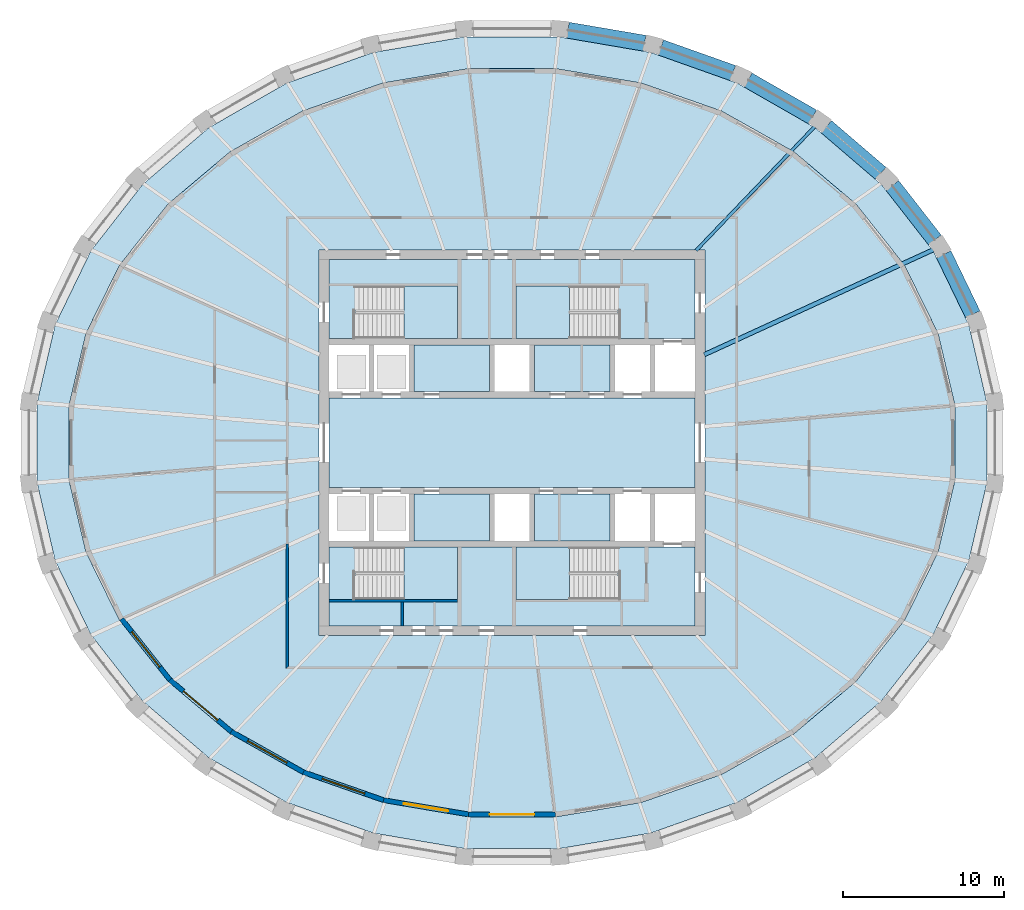
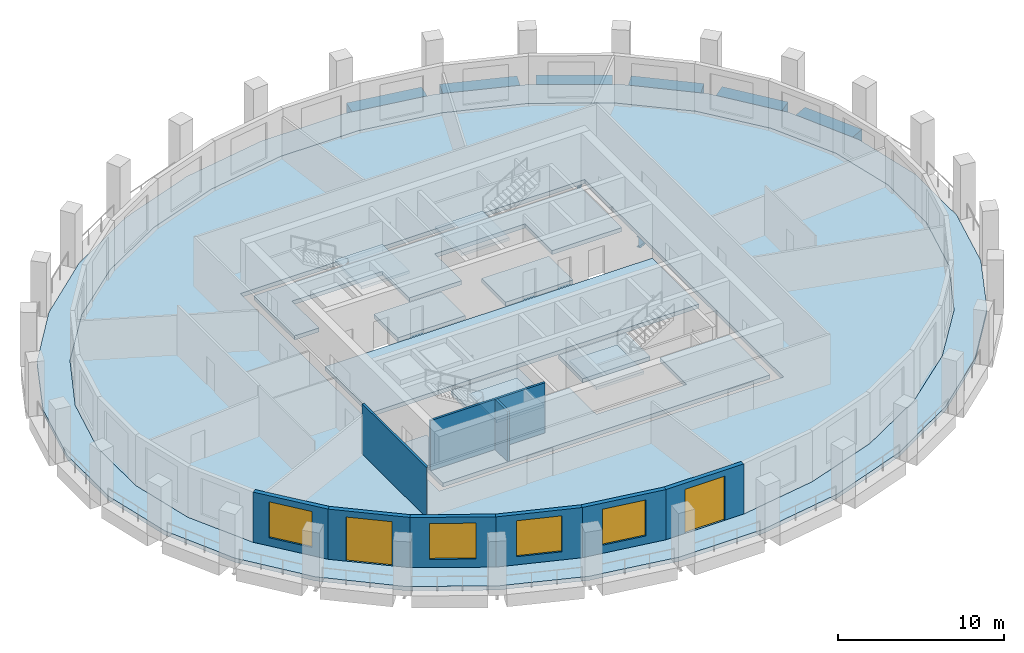
# One storey, part 2 of 10: 13 slabs, 9 walls, 8 beams, 4 windows, 2 doors, 6 openings, 4 elements without a shape of their own.
"""IFC4 building model written with IfcOpenShell, lengths in metres."""

from ifc_helpers import new_model, si_unit, direction, frame, frame_2d, origin, origin_2d, place, context, subcontext, project, spatial, polyline, rectangle, i_section, outline, extrude, material, layer, layer_set, material_profile, profile_set, type_object, element, fill, aggregate, save


model = new_model("IFC4")

# Units and contexts
model_context = context("Model", 3, precision=1e-05, world=origin(), true_north=direction((0.0, 1.0)))
body_context = subcontext(model_context, "Body", "Model", "MODEL_VIEW")
ifc_project = project(units=[si_unit("LENGTHUNIT", "METRE"), si_unit("AREAUNIT", "SQUARE_METRE"), si_unit("VOLUMEUNIT", "CUBIC_METRE"), si_unit("PLANEANGLEUNIT", "RADIAN"), si_unit("MASSUNIT", "GRAM", prefix="KILO")], contexts=[model_context])

# Site, building, storey
site_placement = place(None, origin())
site = spatial("IfcSite", under=ifc_project, at=site_placement, CompositionType="ELEMENT")
building_placement = place(site_placement, origin())
building = spatial("IfcBuilding", under=site, at=building_placement, Name="Halqa Exchange Tower", CompositionType="ELEMENT")
storey_placement = place(building_placement, frame((0.0, 0.0, 256.300048828125)))
storey = spatial("IfcBuildingStorey", under=building, at=storey_placement, Name="L59", CompositionType="ELEMENT", Elevation=256.300048828125)

# Beams
ifc_material_1 = material(Name="Steel S355", Category="steel")
ifc_material_profile_1 = material_profile(ifc_material_1, i_section(OverallWidth=0.18994140625, OverallDepth=0.449951171875, WebThickness=0.009521484375, FlangeThickness=0.0146484375, FilletRadius=0.02099609375, at=origin_2d()), Name="IPE 450")
ifc_profile_set_1 = profile_set([ifc_material_profile_1], Name="Steel S355")
beam_type_1 = type_object("IfcBeamType", Name="Floor beam IPE 450", PredefinedType="BEAM", material=ifc_profile_set_1)
beam_1_placement = place(storey_placement, frame((11.462890625, 11.97216796875, -0.525146484375), z_axis=(0.691571250257, 0.722308248477, 0.0), x_axis=(-0.722308248477, 0.691571250257, 0.0)))
element("IfcBeam", 1, at=beam_1_placement, inside=storey, type_object=beam_type_1, Name="Radial beam 5", PredefinedType="BEAM", context=body_context, shape_type="SweptSolid", body=[
    extrude(i_section(OverallWidth=0.18994140625, OverallDepth=0.449951171875, WebThickness=0.009521484375, FlangeThickness=0.0146484375, FilletRadius=0.02099609375, at=origin_2d()), origin(), (0.0, 0.0, 1.0), 10.8896484375),
])
ifc_material_profile_2 = material_profile(ifc_material_1, i_section(OverallWidth=0.264892578125, OverallDepth=0.7529296875, WebThickness=0.01318359375, FlangeThickness=0.01708984375, FilletRadius=0.01708984375, at=origin_2d()), Name="IPE 750x147")
ifc_profile_set_2 = profile_set([ifc_material_profile_2], Name="Steel S355")
beam_type_2 = type_object("IfcBeamType", Name="Floor beam IPE 750x147", PredefinedType="BEAM", material=ifc_profile_set_2)
beam_2_placement = place(storey_placement, frame((11.972412109375, 5.485107421875, -0.676513671875), z_axis=(0.909125405475, 0.416522504938, 0.0), x_axis=(-0.416522504938, 0.909125405475, 0.0)))
element("IfcBeam", 2, at=beam_2_placement, inside=storey, type_object=beam_type_2, Name="Radial beam 3", PredefinedType="BEAM", context=body_context, shape_type="SweptSolid", body=[
    extrude(i_section(OverallWidth=0.264892578125, OverallDepth=0.7529296875, WebThickness=0.01318359375, FlangeThickness=0.01708984375, FilletRadius=0.01708984375, at=origin_2d()), origin(), (0.0, 0.0, 1.0), 15.897216796875),
])
ifc_material_2 = material(Name="Concrete C60/75", Category="concrete")
ifc_material_profile_3 = material_profile(ifc_material_2, rectangle(XDim=1.0, YDim=0.89990234375, at=origin_2d()), Name="1000 x 900")
ifc_profile_set_3 = profile_set([ifc_material_profile_3], Name="Concrete C60/75")
beam_type_3 = type_object("IfcBeamType", Name="RC spandrel beam 1000 x 900 C60/75", PredefinedType="SPANDREL", material=ifc_profile_set_3)
beam_3_placement = place(storey_placement, frame((28.68115234375, 7.989501953125, -0.449951171875), z_axis=(-0.435052831025, 0.900404927917, 0.0), x_axis=(-0.900404927917, -0.435052831025, 0.0)))
element("IfcBeam", 3, at=beam_3_placement, inside=storey, type_object=beam_type_3, Name="Spandrel 2", PredefinedType="SPANDREL", context=body_context, shape_type="SweptSolid", body=[
    extrude(rectangle(XDim=1.0, YDim=0.89990234375, at=origin_2d()), origin(), (0.0, 0.0, 1.0), 4.15771484375),
])
beam_4_placement = place(storey_placement, frame((26.32080078125, 12.62060546875, -0.449951171875), z_axis=(-0.614851813623, 0.788642661339, 0.0), x_axis=(-0.788642661339, -0.614851813623, 0.0)))
element("IfcBeam", 4, at=beam_4_placement, inside=storey, type_object=beam_type_3, Name="Spandrel 3", PredefinedType="SPANDREL", context=body_context, shape_type="SweptSolid", body=[
    extrude(rectangle(XDim=1.0, YDim=0.89990234375, at=origin_2d()), origin(), (0.0, 0.0, 1.0), 4.301513671875),
])
beam_5_placement = place(storey_placement, frame((22.955078125, 16.7685546875, -0.449951171875), z_axis=(-0.75927203536, 0.650773367864, 0.0), x_axis=(-0.650773367864, -0.75927203536, 0.0)))
element("IfcBeam", 5, at=beam_5_placement, inside=storey, type_object=beam_type_3, Name="Spandrel 4", PredefinedType="SPANDREL", context=body_context, shape_type="SweptSolid", body=[
    extrude(rectangle(XDim=1.0, YDim=0.89990234375, at=origin_2d()), origin(), (0.0, 0.0, 1.0), 4.466552734375),
])
beam_6_placement = place(storey_placement, frame((18.7109375, 20.277099609375, -0.449951171875), z_axis=(-0.867755612748, 0.496991143326, 0.0), x_axis=(-0.496991143326, -0.867755612748, 0.0)))
element("IfcBeam", 6, at=beam_6_placement, inside=storey, type_object=beam_type_3, Name="Spandrel 5", PredefinedType="SPANDREL", context=body_context, shape_type="SweptSolid", body=[
    extrude(rectangle(XDim=1.0, YDim=0.89990234375, at=origin_2d()), origin(), (0.0, 0.0, 1.0), 4.62646484375),
])
beam_7_placement = place(storey_placement, frame((13.747802734375, 23.01220703125, -0.449951171875), z_axis=(-0.942372957307, 0.334564208094, 0.0), x_axis=(-0.334564208094, -0.942372957307, 0.0)))
element("IfcBeam", 7, at=beam_7_placement, inside=storey, type_object=beam_type_3, Name="Spandrel 6", PredefinedType="SPANDREL", context=body_context, shape_type="SweptSolid", body=[
    extrude(rectangle(XDim=1.0, YDim=0.89990234375, at=origin_2d()), origin(), (0.0, 0.0, 1.0), 4.7578125),
])
beam_8_placement = place(storey_placement, frame((8.252685546875, 24.867919921875, -0.449951171875), z_axis=(-0.985781051948, 0.168034870249, 0.0), x_axis=(-0.168034870249, -0.985781051948, 0.0)))
element("IfcBeam", 8, at=beam_8_placement, inside=storey, type_object=beam_type_3, Name="Spandrel 7", PredefinedType="SPANDREL", context=body_context, shape_type="SweptSolid", body=[
    extrude(rectangle(XDim=1.0, YDim=0.89990234375, at=origin_2d()), origin(), (0.0, 0.0, 1.0), 4.843994140625),
])

# Slabs
ifc_layer_1 = layer(ifc_material_2, 0.300048828125)
ifc_layer_set_1 = layer_set([ifc_layer_1], Name="Concrete C60/75")
slab_type_1 = type_object("IfcSlabType", Name="Core floor slab 300", PredefinedType="FLOOR", material=ifc_layer_set_1)
slab_1_placement = place(storey_placement, frame((0.0, 0.0, -0.300048828125)))
element("IfcSlab", 9, at=slab_1_placement, inside=storey, type_object=slab_type_1, Name="Core floor slab", PredefinedType="FLOOR", context=body_context, shape_type="SweptSolid", body=[
    extrude(outline(polyline([(-11.39990234375, 2.800048828125), (11.39990234375, 2.800048828125), (11.39990234375, -2.800048828125), (-11.39990234375, -2.800048828125), (-11.39990234375, 2.800048828125)])), origin(), (0.0, 0.0, 1.0), 0.300048828125),
])
slab_2_placement = place(storey_placement, frame((0.0, 0.0, -0.300048828125)))
element("IfcSlab", 10, at=slab_2_placement, inside=storey, type_object=slab_type_1, Name="Core floor slab", PredefinedType="FLOOR", context=body_context, shape_type="SweptSolid", body=[
    extrude(outline(polyline([(-11.39990234375, 11.39990234375), (11.39990234375, 11.39990234375), (11.39990234375, 6.5), (6.550048828125, 6.5), (6.550048828125, 9.75), (0.25, 9.75), (0.25, 6.5), (-3.39990234375, 6.5), (-3.39990234375, 9.75), (-9.699951171875, 9.75), (-9.699951171875, 6.5), (-11.39990234375, 6.5), (-11.39990234375, 11.39990234375)])), origin(), (0.0, 0.0, 1.0), 0.300048828125),
])
slab_3_placement = place(storey_placement, frame((0.0, 0.0, -0.300048828125)))
element("IfcSlab", 11, at=slab_3_placement, inside=storey, type_object=slab_type_1, Name="Core floor slab", PredefinedType="FLOOR", context=body_context, shape_type="SweptSolid", body=[
    extrude(outline(polyline([(-11.39990234375, -6.5), (-9.699951171875, -6.5), (-9.699951171875, -9.75), (-3.39990234375, -9.75), (-3.39990234375, -6.5), (0.25, -6.5), (0.25, -9.75), (6.550048828125, -9.75), (6.550048828125, -6.5), (11.39990234375, -6.5), (11.39990234375, -11.39990234375), (-11.39990234375, -11.39990234375), (-11.39990234375, -6.5)])), origin(), (0.0, 0.0, 1.0), 0.300048828125),
])
slab_4_placement = place(storey_placement, frame((0.0, 0.0, -0.300048828125)))
element("IfcSlab", 12, at=slab_4_placement, inside=storey, type_object=slab_type_1, Name="Core floor slab", PredefinedType="FLOOR", context=body_context, shape_type="SweptSolid", body=[
    extrude(outline(polyline([(-1.39990234375, -3.199951171875), (-1.39990234375, -6.10009765625), (-6.10009765625, -6.10009765625), (-6.10009765625, -3.199951171875), (-1.39990234375, -3.199951171875)])), origin(), (0.0, 0.0, 1.0), 0.300048828125),
])
slab_5_placement = place(storey_placement, frame((0.0, 0.0, -0.300048828125)))
element("IfcSlab", 13, at=slab_5_placement, inside=storey, type_object=slab_type_1, Name="Core floor slab", PredefinedType="FLOOR", context=body_context, shape_type="SweptSolid", body=[
    extrude(outline(polyline([(-1.39990234375, 3.199951171875), (-6.10009765625, 3.199951171875), (-6.10009765625, 6.10009765625), (-1.39990234375, 6.10009765625), (-1.39990234375, 3.199951171875)])), origin(), (0.0, 0.0, 1.0), 0.300048828125),
])
slab_6_placement = place(storey_placement, frame((0.0, 0.0, -0.300048828125)))
element("IfcSlab", 14, at=slab_6_placement, inside=storey, type_object=slab_type_1, Name="Core floor slab", PredefinedType="FLOOR", context=body_context, shape_type="SweptSolid", body=[
    extrude(outline(polyline([(6.10009765625, -3.199951171875), (6.10009765625, -6.10009765625), (1.39990234375, -6.10009765625), (1.39990234375, -3.199951171875), (6.10009765625, -3.199951171875)])), origin(), (0.0, 0.0, 1.0), 0.300048828125),
])
slab_7_placement = place(storey_placement, frame((0.0, 0.0, -0.300048828125)))
element("IfcSlab", 15, at=slab_7_placement, inside=storey, type_object=slab_type_1, Name="Core floor slab", PredefinedType="FLOOR", context=body_context, shape_type="SweptSolid", body=[
    extrude(outline(polyline([(6.10009765625, 6.10009765625), (6.10009765625, 3.199951171875), (1.39990234375, 3.199951171875), (1.39990234375, 6.10009765625), (6.10009765625, 6.10009765625)])), origin(), (0.0, 0.0, 1.0), 0.300048828125),
])
ifc_material_3 = material(Name="Concrete C40/50", Category="concrete")
ifc_layer_2 = layer(ifc_material_3, 0.300048828125)
ifc_layer_set_2 = layer_set([ifc_layer_2], Name="Concrete C40/50")
slab_type_2 = type_object("IfcSlabType", Name="RC floor slab 300", PredefinedType="FLOOR", material=ifc_layer_set_2)
slab_8_placement = place(storey_placement, frame((0.0, 0.0, -0.300048828125)))
element("IfcSlab", 16, at=slab_8_placement, inside=storey, type_object=slab_type_2, Name="Floor slab", PredefinedType="FLOOR", context=body_context, shape_type="SweptSolid", body=[
    extrude(outline(polyline([(27.57861328125, 2.298583984375), (26.514404296875, 6.805908203125), (24.428955078125, 11.048095703125), (21.40478515625, 14.861083984375), (17.560791015625, 18.10009765625), (13.045166015625, 20.64208984375), (8.031494140625, 22.391845703125), (2.711669921875, 23.283447265625), (-2.711669921875, 23.283447265625), (-8.031494140625, 22.391845703125), (-13.045166015625, 20.64208984375), (-17.560791015625, 18.10009765625), (-21.40478515625, 14.861083984375), (-24.428955078125, 11.048095703125), (-26.514404296875, 6.805908203125), (-27.57861328125, 2.298583984375), (-27.57861328125, -2.298583984375), (-26.514404296875, -6.805908203125), (-24.428955078125, -11.048095703125), (-21.40478515625, -14.861083984375), (-17.560791015625, -18.10009765625), (-13.045166015625, -20.64208984375), (-8.031494140625, -22.391845703125), (-2.711669921875, -23.283447265625), (2.711669921875, -23.283447265625), (8.031494140625, -22.391845703125), (13.045166015625, -20.64208984375), (17.560791015625, -18.10009765625), (21.40478515625, -14.861083984375), (24.428955078125, -11.048095703125), (26.514404296875, -6.805908203125), (27.57861328125, -2.298583984375), (27.57861328125, 2.298583984375)]), holes=[polyline([(-12.0, -12.0), (12.0, -12.0), (12.0, 12.0), (-12.0, 12.0), (-12.0, -12.0)])]), origin(), (0.0, 0.0, 1.0), 0.300048828125),
])
ifc_layer_3 = layer(ifc_material_3, 0.300048828125)
ifc_layer_set_3 = layer_set([ifc_layer_3], Name="Concrete C40/50")
slab_type_3 = type_object("IfcSlabType", Name="RC loggia slab 300", PredefinedType="FLOOR", material=ifc_layer_set_3)
slab_9_placement = place(storey_placement, frame((0.0, 0.0, -0.300048828125)))
element("IfcSlab", 17, at=slab_9_placement, inside=storey, type_object=slab_type_3, Name="Loggia slab", PredefinedType="FLOOR", context=body_context, shape_type="SweptSolid", body=[
    extrude(outline(polyline([(29.56494140625, 2.480712890625), (29.56494140625, -2.480712890625), (28.43505859375, -7.349609375), (26.21630859375, -11.94140625), (22.989501953125, -16.080322265625), (18.875732421875, -19.6064453125), (14.031494140625, -22.380859375), (8.64306640625, -24.294189453125), (2.918701171875, -25.27001953125), (-2.918701171875, -25.27001953125), (-8.64306640625, -24.294189453125), (-14.031494140625, -22.380859375), (-18.875732421875, -19.6064453125), (-22.989501953125, -16.080322265625), (-26.21630859375, -11.94140625), (-28.43505859375, -7.349609375), (-29.56494140625, -2.480712890625), (-29.56494140625, 2.480712890625), (-28.43505859375, 7.349609375), (-26.21630859375, 11.94140625), (-22.989501953125, 16.080322265625), (-18.875732421875, 19.6064453125), (-14.031494140625, 22.380859375), (-8.64306640625, 24.294189453125), (-2.918701171875, 25.27001953125), (2.918701171875, 25.27001953125), (8.64306640625, 24.294189453125), (14.031494140625, 22.380859375), (18.875732421875, 19.6064453125), (22.989501953125, 16.080322265625), (26.21630859375, 11.94140625), (28.43505859375, 7.349609375), (29.56494140625, 2.480712890625)]), holes=[polyline([(27.57861328125, 2.298583984375), (26.514404296875, 6.805908203125), (24.428955078125, 11.048095703125), (21.40478515625, 14.861083984375), (17.560791015625, 18.10009765625), (13.045166015625, 20.64208984375), (8.031494140625, 22.391845703125), (2.711669921875, 23.283447265625), (-2.711669921875, 23.283447265625), (-8.031494140625, 22.391845703125), (-13.045166015625, 20.64208984375), (-17.560791015625, 18.10009765625), (-21.40478515625, 14.861083984375), (-24.428955078125, 11.048095703125), (-26.514404296875, 6.805908203125), (-27.57861328125, 2.298583984375), (-27.57861328125, -2.298583984375), (-26.514404296875, -6.805908203125), (-24.428955078125, -11.048095703125), (-21.40478515625, -14.861083984375), (-17.560791015625, -18.10009765625), (-13.045166015625, -20.64208984375), (-8.031494140625, -22.391845703125), (-2.711669921875, -23.283447265625), (2.711669921875, -23.283447265625), (8.031494140625, -22.391845703125), (13.045166015625, -20.64208984375), (17.560791015625, -18.10009765625), (21.40478515625, -14.861083984375), (24.428955078125, -11.048095703125), (26.514404296875, -6.805908203125), (27.57861328125, -2.298583984375), (27.57861328125, 2.298583984375)])]), origin(), (0.0, 0.0, 1.0), 0.300048828125),
])

# Stair, slab
ifc_material_4 = material(Name="Concrete C30/37", Category="concrete")
stair_type = type_object("IfcStairType", Name="Exit stair 1500 wide", PredefinedType="HALF_TURN_STAIR", material=ifc_material_4)
stair_1_placement = place(storey_placement, origin())
stair_1 = element("IfcStair", 18, at=stair_1_placement, inside=storey, type_object=stair_type, Name="Exit stair ST1", PredefinedType="HALF_TURN_STAIR")
ifc_layer_4 = layer(ifc_material_4, 0.199951171875)
ifc_layer_set_4 = layer_set([ifc_layer_4], Name="Concrete C30/37")
slab_type_4 = type_object("IfcSlabType", Name="Stair landing 200 slab", PredefinedType="LANDING", material=ifc_layer_set_4)
slab_10_placement = place(storey_placement, frame((0.0, 0.0, 1.800048828125)))
slab_10 = element("IfcSlab", 19, at=slab_10_placement, type_object=slab_type_4, Name="ST1 landing 1", PredefinedType="LANDING", context=body_context, shape_type="SweptSolid", body=[
    extrude(outline(polyline([(-6.719970703125, 6.5), (-3.39990234375, 6.5), (-3.39990234375, 9.75), (-6.719970703125, 9.75), (-6.719970703125, 6.5)])), origin(), (0.0, 0.0, 1.0), 0.199951171875),
])
aggregate(stair_1, [slab_10])

stair_2_placement = place(storey_placement, origin())
stair_2 = element("IfcStair", 20, at=stair_2_placement, inside=storey, type_object=stair_type, Name="Exit stair ST2", PredefinedType="HALF_TURN_STAIR")
slab_11_placement = place(storey_placement, frame((0.0, 0.0, 1.800048828125)))
slab_11 = element("IfcSlab", 21, at=slab_11_placement, type_object=slab_type_4, Name="ST2 landing 1", PredefinedType="LANDING", context=body_context, shape_type="SweptSolid", body=[
    extrude(outline(polyline([(0.25, 6.5), (3.570068359375, 6.5), (3.570068359375, 9.75), (0.25, 9.75), (0.25, 6.5)])), origin(), (0.0, 0.0, 1.0), 0.199951171875),
])
aggregate(stair_2, [slab_11])

stair_3_placement = place(storey_placement, origin())
stair_3 = element("IfcStair", 22, at=stair_3_placement, inside=storey, type_object=stair_type, Name="Exit stair ST3", PredefinedType="HALF_TURN_STAIR")
slab_12_placement = place(storey_placement, frame((0.0, 0.0, 1.800048828125)))
slab_12 = element("IfcSlab", 23, at=slab_12_placement, type_object=slab_type_4, Name="ST3 landing 1", PredefinedType="LANDING", context=body_context, shape_type="SweptSolid", body=[
    extrude(outline(polyline([(-6.719970703125, -9.75), (-3.39990234375, -9.75), (-3.39990234375, -6.5), (-6.719970703125, -6.5), (-6.719970703125, -9.75)])), origin(), (0.0, 0.0, 1.0), 0.199951171875),
])
aggregate(stair_3, [slab_12])

stair_4_placement = place(storey_placement, origin())
stair_4 = element("IfcStair", 24, at=stair_4_placement, inside=storey, type_object=stair_type, Name="Exit stair ST4", PredefinedType="HALF_TURN_STAIR")
slab_13_placement = place(storey_placement, frame((0.0, 0.0, 1.800048828125)))
slab_13 = element("IfcSlab", 25, at=slab_13_placement, type_object=slab_type_4, Name="ST4 landing 1", PredefinedType="LANDING", context=body_context, shape_type="SweptSolid", body=[
    extrude(outline(polyline([(0.25, -9.75), (3.570068359375, -9.75), (3.570068359375, -6.5), (0.25, -6.5), (0.25, -9.75)])), origin(), (0.0, 0.0, 1.0), 0.199951171875),
])
aggregate(stair_4, [slab_13])

# Walls
ifc_material_5 = material(Name="Fire-rated gypsum board")
ifc_layer_5 = layer(ifc_material_5, 0.14990234375)
ifc_layer_set_5 = layer_set([ifc_layer_5], Name="Fire-rated gypsum board")
wall_type_1 = type_object("IfcWallType", Name="Fire partition EI 60 150", PredefinedType="PARTITIONING", material=ifc_layer_set_5)
wall_1_placement = place(storey_placement, frame((-14.0, -14.074951171875, 0.0), z_axis=(0.0, 0.0, 1.0), x_axis=(0.0, 1.0, 0.0)))
element("IfcWall", 26, at=wall_1_placement, inside=storey, type_object=wall_type_1, Name="L59-PWL-006", PredefinedType="PARTITIONING", context=body_context, shape_type="SweptSolid", body=[
    extrude(outline(polyline([(7.77490234375, 0.074951171875), (5.8310546875, 0.074951171875), (3.887451171875, 0.074951171875), (1.94384765625, 0.074951171875), (0.0, 0.074951171875), (0.14990234375, -0.074951171875), (2.05615234375, -0.074951171875), (3.96240234375, -0.074951171875), (5.86865234375, -0.074951171875), (7.77490234375, -0.074951171875), (7.77490234375, 0.074951171875)])), origin(), (0.0, 0.0, 1.0), 3.699951171875),
])
ifc_material_6 = material(Name="Gypsum board")
ifc_layer_6 = layer(ifc_material_6, 0.14990234375)
ifc_layer_set_6 = layer_set([ifc_layer_6], Name="Gypsum board")
wall_type_2 = type_object("IfcWallType", Name="Penthouse riser wall 150 gypsum", PredefinedType="PARTITIONING", material=ifc_layer_set_6)
wall_2_placement = place(storey_placement, frame((-6.824951171875, -11.39990234375, 0.0), z_axis=(0.0, 0.0, 1.0), x_axis=(0.0, 1.0, 0.0)))
element("IfcWall", 27, at=wall_2_placement, inside=storey, type_object=wall_type_2, Name="Partition W6.825 S", PredefinedType="PARTITIONING", context=body_context, shape_type="SweptSolid", body=[
    extrude(rectangle(XDim=1.5, YDim=0.14990234375, at=frame_2d((0.75, 0.0))), origin(), (0.0, 0.0, 1.0), 3.699951171875),
])
ifc_layer_7 = layer(ifc_material_4, 0.14990234375)
ifc_layer_set_7 = layer_set([ifc_layer_7], Name="Concrete C30/37")
wall_type_3 = type_object("IfcWallType", Name="RC stair wall 150 C30/37", PredefinedType="SHEAR", material=ifc_layer_set_7)
wall_3_placement = place(storey_placement, frame((-11.39990234375, -9.824951171875, 0.0), z_axis=(0.0, 0.0, 1.0), x_axis=(1.0, 0.0, 0.0)))
element("IfcWall", 28, at=wall_3_placement, inside=storey, type_object=wall_type_3, Name="Stair ST1 north wall S", PredefinedType="SHEAR", context=body_context, shape_type="SweptSolid", body=[
    extrude(rectangle(XDim=8.0, YDim=0.14990234375, at=frame_2d((4.0, 0.0))), origin(), (0.0, 0.0, 1.0), 3.699951171875),
])

# Wall, opening, window
ifc_material_7 = material(Name="Limestone cladding", Category="masonry")
ifc_layer_8 = layer(ifc_material_7, 0.0400390625)
ifc_material_8 = material(Name="Ventilated cavity")
ifc_layer_9 = layer(ifc_material_8, 0.030029296875, ventilated=True)
ifc_material_9 = material(Name="Mineral wool insulation")
ifc_layer_10 = layer(ifc_material_9, 0.10009765625)
ifc_layer_11 = layer(ifc_material_4, 0.10009765625)
ifc_material_10 = material(Name="Internal plaster")
ifc_layer_12 = layer(ifc_material_10, 0.030029296875)
ifc_layer_set_8 = layer_set([ifc_layer_8, ifc_layer_9, ifc_layer_10, ifc_layer_11, ifc_layer_12], Name="Stone-faced insulated wall 300")
wall_type_4 = type_object("IfcWallType", Name="Stone-faced insulated wall 300", PredefinedType="STANDARD", material=ifc_layer_set_8)
wall_4_placement = place(storey_placement, frame((-24.301513671875, -10.96728515625, 0.0), z_axis=(0.0, 0.0, 1.0), x_axis=(0.621358373565, -0.783526497063, 0.0)))
wall_4 = element("IfcWall", 29, at=wall_4_placement, inside=storey, type_object=wall_type_4, Name="Glass-line wall 19", PredefinedType="STANDARD", context=body_context, shape_type="SweptSolid", body=[
    extrude(outline(polyline([(-0.01611328125, -0.14990234375), (4.850830078125, -0.14990234375), (4.820556640625, 0.14990234375), (0.01611328125, 0.14990234375), (-0.01611328125, -0.14990234375)])), origin(), (0.0, 0.0, 1.0), 3.699951171875),
])
opening_1_placement = place(wall_4_placement, frame((1.017578125, 0.0, 0.60009765625)))
opening_1 = element("IfcOpeningElement", 30, at=opening_1_placement, cuts=wall_4, Name="Opening W-F4-19", PredefinedType="OPENING", context=body_context, shape_type="SweptSolid", body=[
    extrude(rectangle(XDim=2.800048828125, YDim=2.64990234375, at=frame_2d((1.39990234375, 1.324951171875))), frame((0.0, 0.162109375, 0.0), z_axis=(0.0, -1.0, 0.0), x_axis=(1.0, 0.0, 0.0)), (0.0, 0.0, 1.0), 0.323974609375),
])
ifc_material_11 = material(Name="Clear low-emissivity glass in aluminium frame", Category="aluminium")
window_type = type_object("IfcWindowType", Name="Fixed clear glazed window 2800 x 2650", PartitioningType="DOUBLE_PANEL_VERTICAL", PredefinedType="WINDOW", material=ifc_material_11)
window_1_placement = place(opening_1_placement, origin())
window_1 = element("IfcWindow", 31, at=window_1_placement, inside=storey, type_object=window_type, Name="Window 4", OverallHeight=2.64990234375, OverallWidth=2.800048828125, PartitioningType="DOUBLE_PANEL_VERTICAL", PredefinedType="WINDOW", context=body_context, shape_type="SweptSolid", body=[
    extrude(rectangle(XDim=2.800048828125, YDim=2.64990234375, at=frame_2d((1.39990234375, 1.324951171875))), frame((0.0, 0.030029296875, 0.0), z_axis=(0.0, -1.0, 0.0), x_axis=(1.0, 0.0, 0.0)), (0.0, 0.0, 1.0), 0.06005859375),
])
fill(opening_1, window_1)

# Wall, opening, door
wall_5_placement = place(storey_placement, frame((-21.296875, -14.756103515625, 0.0), z_axis=(0.0, 0.0, 1.0), x_axis=(0.764746492461, -0.644331283013, 0.0)))
wall_5 = element("IfcWall", 32, at=wall_5_placement, inside=storey, type_object=wall_type_4, Name="Glass-line wall 20", PredefinedType="STANDARD", context=body_context, shape_type="SweptSolid", body=[
    extrude(outline(polyline([(-0.01513671875, -0.14990234375), (5.011962890625, -0.14990234375), (4.983642578125, 0.14990234375), (0.01513671875, 0.14990234375), (-0.01513671875, -0.14990234375)])), origin(), (0.0, 0.0, 1.0), 3.699951171875),
])
opening_2_placement = place(wall_5_placement, frame((1.098876953125, 0.0, 0.0)))
opening_2 = element("IfcOpeningElement", 33, at=opening_2_placement, cuts=wall_5, Name="Opening LG-F4-05", PredefinedType="OPENING", context=body_context, shape_type="SweptSolid", body=[
    extrude(rectangle(XDim=2.800048828125, YDim=3.25, at=frame_2d((1.39990234375, 1.625))), frame((0.0, 0.162109375, 0.0), z_axis=(0.0, -1.0, 0.0), x_axis=(1.0, 0.0, 0.0)), (0.0, 0.0, 1.0), 0.323974609375),
])
door_type = type_object("IfcDoorType", Name="Glazed sliding loggia door 2800 x 3250", OperationType="DOUBLE_DOOR_SLIDING", PredefinedType="DOOR", material=ifc_material_11)
door_1_placement = place(opening_2_placement, origin())
door_1 = element("IfcDoor", 34, at=door_1_placement, inside=storey, type_object=door_type, Name="Loggia door 5", OperationType="DOUBLE_DOOR_SLIDING", OverallHeight=3.25, OverallWidth=2.800048828125, PredefinedType="DOOR", context=body_context, shape_type="SweptSolid", body=[
    extrude(rectangle(XDim=2.800048828125, YDim=3.25, at=frame_2d((1.39990234375, 1.625))), frame((0.0, 0.02490234375, 0.0), z_axis=(0.0, -1.0, 0.0), x_axis=(1.0, 0.0, 0.0)), (0.0, 0.0, 1.0), 0.050048828125),
])
fill(opening_2, door_1)

# Wall, opening, window
wall_6_placement = place(storey_placement, frame((-17.474853515625, -17.976318359375, 0.0), z_axis=(0.0, 0.0, 1.0), x_axis=(0.871411047742, -0.490553550465, 0.0)))
wall_6 = element("IfcWall", 35, at=wall_6_placement, inside=storey, type_object=wall_type_4, Name="Glass-line wall 21", PredefinedType="STANDARD", context=body_context, shape_type="SweptSolid", body=[
    extrude(outline(polyline([(-0.01416015625, -0.14990234375), (5.16796875, -0.14990234375), (5.14111328125, 0.14990234375), (0.01416015625, 0.14990234375), (-0.01416015625, -0.14990234375)])), origin(), (0.0, 0.0, 1.0), 3.699951171875),
])
opening_3_placement = place(wall_6_placement, frame((1.17724609375, 0.0, 0.60009765625)))
opening_3 = element("IfcOpeningElement", 36, at=opening_3_placement, cuts=wall_6, Name="Opening W-F4-21", PredefinedType="OPENING", context=body_context, shape_type="SweptSolid", body=[
    extrude(rectangle(XDim=2.800048828125, YDim=2.64990234375, at=frame_2d((1.39990234375, 1.324951171875))), frame((0.0, 0.162109375, 0.0), z_axis=(0.0, -1.0, 0.0), x_axis=(1.0, 0.0, 0.0)), (0.0, 0.0, 1.0), 0.323974609375),
])
window_2_placement = place(opening_3_placement, origin())
window_2 = element("IfcWindow", 37, at=window_2_placement, inside=storey, type_object=window_type, Name="Window 4", OverallHeight=2.64990234375, OverallWidth=2.800048828125, PartitioningType="DOUBLE_PANEL_VERTICAL", PredefinedType="WINDOW", context=body_context, shape_type="SweptSolid", body=[
    extrude(rectangle(XDim=2.800048828125, YDim=2.64990234375, at=frame_2d((1.39990234375, 1.324951171875))), frame((0.0, 0.030029296875, 0.0), z_axis=(0.0, -1.0, 0.0), x_axis=(1.0, 0.0, 0.0)), (0.0, 0.0, 1.0), 0.06005859375),
])
fill(opening_3, window_2)

wall_7_placement = place(storey_placement, frame((-12.983154296875, -20.5048828125, 0.0), z_axis=(0.0, 0.0, 1.0), x_axis=(0.944149712872, -0.32951679727, 0.0)))
wall_7 = element("IfcWall", 38, at=wall_7_placement, inside=storey, type_object=wall_type_4, Name="Glass-line wall 22", PredefinedType="STANDARD", context=body_context, shape_type="SweptSolid", body=[
    extrude(outline(polyline([(-0.013427734375, -0.14990234375), (5.296875, -0.14990234375), (5.271484375, 0.14990234375), (0.013427734375, 0.14990234375), (-0.013427734375, -0.14990234375)])), origin(), (0.0, 0.0, 1.0), 3.699951171875),
])
opening_4_placement = place(wall_7_placement, frame((1.241943359375, 0.0, 0.60009765625)))
opening_4 = element("IfcOpeningElement", 39, at=opening_4_placement, cuts=wall_7, Name="Opening W-F4-22", PredefinedType="OPENING", context=body_context, shape_type="SweptSolid", body=[
    extrude(rectangle(XDim=2.800048828125, YDim=2.64990234375, at=frame_2d((1.39990234375, 1.324951171875))), frame((0.0, 0.162109375, 0.0), z_axis=(0.0, -1.0, 0.0), x_axis=(1.0, 0.0, 0.0)), (0.0, 0.0, 1.0), 0.323974609375),
])
window_3_placement = place(opening_4_placement, origin())
window_3 = element("IfcWindow", 40, at=window_3_placement, inside=storey, type_object=window_type, Name="Window 4", OverallHeight=2.64990234375, OverallWidth=2.800048828125, PartitioningType="DOUBLE_PANEL_VERTICAL", PredefinedType="WINDOW", context=body_context, shape_type="SweptSolid", body=[
    extrude(rectangle(XDim=2.800048828125, YDim=2.64990234375, at=frame_2d((1.39990234375, 1.324951171875))), frame((0.0, 0.030029296875, 0.0), z_axis=(0.0, -1.0, 0.0), x_axis=(1.0, 0.0, 0.0)), (0.0, 0.0, 1.0), 0.06005859375),
])
fill(opening_4, window_3)

wall_8_placement = place(storey_placement, frame((-7.994140625, -22.24609375, 0.0), z_axis=(0.0, 0.0, 1.0), x_axis=(0.986243571741, -0.165298569867, 0.0)))
wall_8 = element("IfcWall", 41, at=wall_8_placement, inside=storey, type_object=wall_type_4, Name="Glass-line wall 23", PredefinedType="STANDARD", context=body_context, shape_type="SweptSolid", body=[
    extrude(outline(polyline([(-0.0126953125, -0.14990234375), (5.38134765625, -0.14990234375), (5.3564453125, 0.14990234375), (0.0126953125, 0.14990234375), (-0.0126953125, -0.14990234375)])), origin(), (0.0, 0.0, 1.0), 3.699951171875),
])
opening_5_placement = place(wall_8_placement, frame((1.284423828125, 0.0, 0.60009765625)))
opening_5 = element("IfcOpeningElement", 42, at=opening_5_placement, cuts=wall_8, Name="Opening W-F4-23", PredefinedType="OPENING", context=body_context, shape_type="SweptSolid", body=[
    extrude(rectangle(XDim=2.800048828125, YDim=2.64990234375, at=frame_2d((1.39990234375, 1.324951171875))), frame((0.0, 0.162109375, 0.0), z_axis=(0.0, -1.0, 0.0), x_axis=(1.0, 0.0, 0.0)), (0.0, 0.0, 1.0), 0.323974609375),
])
window_4_placement = place(opening_5_placement, origin())
window_4 = element("IfcWindow", 43, at=window_4_placement, inside=storey, type_object=window_type, Name="Window 4", OverallHeight=2.64990234375, OverallWidth=2.800048828125, PartitioningType="DOUBLE_PANEL_VERTICAL", PredefinedType="WINDOW", context=body_context, shape_type="SweptSolid", body=[
    extrude(rectangle(XDim=2.800048828125, YDim=2.64990234375, at=frame_2d((1.39990234375, 1.324951171875))), frame((0.0, 0.030029296875, 0.0), z_axis=(0.0, -1.0, 0.0), x_axis=(1.0, 0.0, 0.0)), (0.0, 0.0, 1.0), 0.06005859375),
])
fill(opening_5, window_4)

# Wall, opening, door
wall_9_placement = place(storey_placement, frame((-2.69921875, -23.133544921875, 0.0), z_axis=(0.0, 0.0, 1.0), x_axis=(1.0, 0.0, 0.0)))
wall_9 = element("IfcWall", 44, at=wall_9_placement, inside=storey, type_object=wall_type_4, Name="Glass-line wall 24", PredefinedType="STANDARD", context=body_context, shape_type="SweptSolid", body=[
    extrude(outline(polyline([(-0.012451171875, -0.14990234375), (5.410888671875, -0.14990234375), (5.385986328125, 0.14990234375), (0.012451171875, 0.14990234375), (-0.012451171875, -0.14990234375)])), origin(), (0.0, 0.0, 1.0), 3.699951171875),
])
opening_6_placement = place(wall_9_placement, frame((1.29931640625, 0.0, 0.0)))
opening_6 = element("IfcOpeningElement", 45, at=opening_6_placement, cuts=wall_9, Name="Opening LG-F4-06", PredefinedType="OPENING", context=body_context, shape_type="SweptSolid", body=[
    extrude(rectangle(XDim=2.800048828125, YDim=3.25, at=frame_2d((1.39990234375, 1.625))), frame((0.0, 0.162109375, 0.0), z_axis=(0.0, -1.0, 0.0), x_axis=(1.0, 0.0, 0.0)), (0.0, 0.0, 1.0), 0.323974609375),
])
door_2_placement = place(opening_6_placement, origin())
door_2 = element("IfcDoor", 46, at=door_2_placement, inside=storey, type_object=door_type, Name="Loggia door 6", OperationType="DOUBLE_DOOR_SLIDING", OverallHeight=3.25, OverallWidth=2.800048828125, PredefinedType="DOOR", context=body_context, shape_type="SweptSolid", body=[
    extrude(rectangle(XDim=2.800048828125, YDim=3.25, at=frame_2d((1.39990234375, 1.625))), frame((0.0, 0.02490234375, 0.0), z_axis=(0.0, -1.0, 0.0), x_axis=(1.0, 0.0, 0.0)), (0.0, 0.0, 1.0), 0.050048828125),
])
fill(opening_6, door_2)

save(model, "model.ifc")
